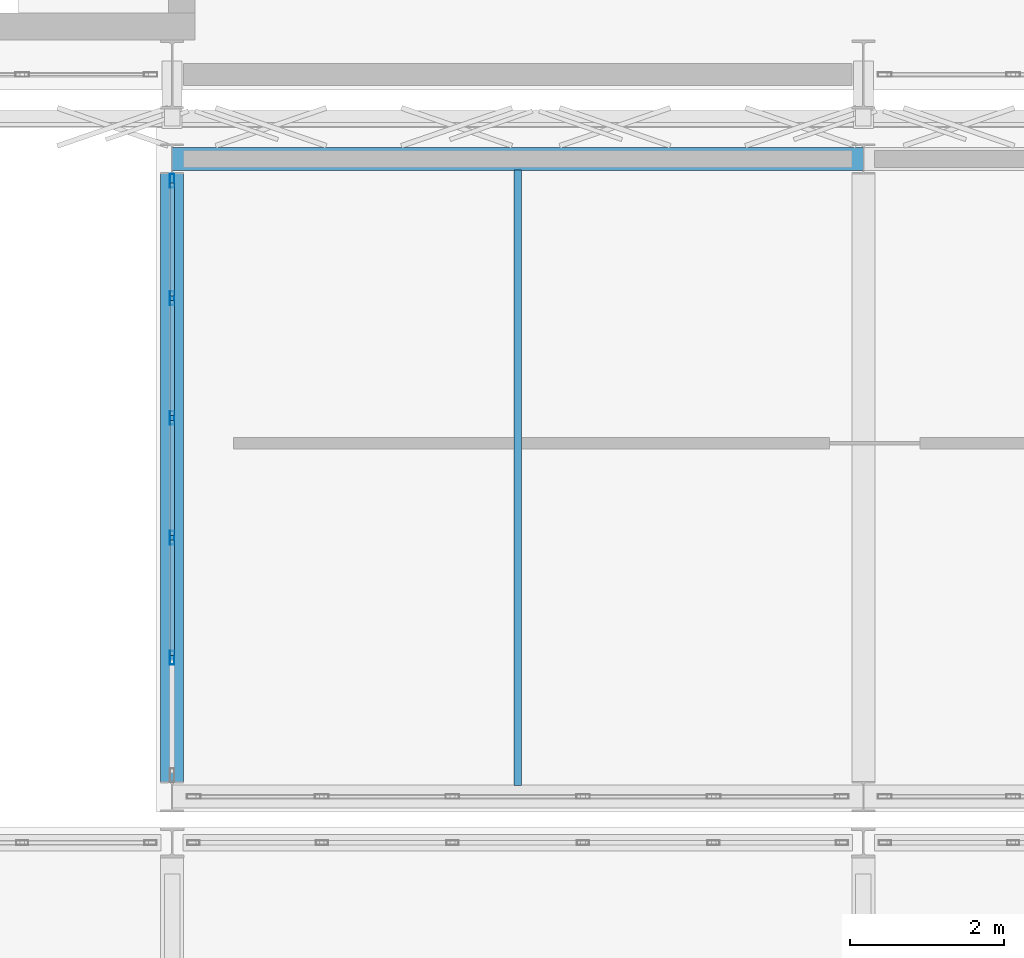
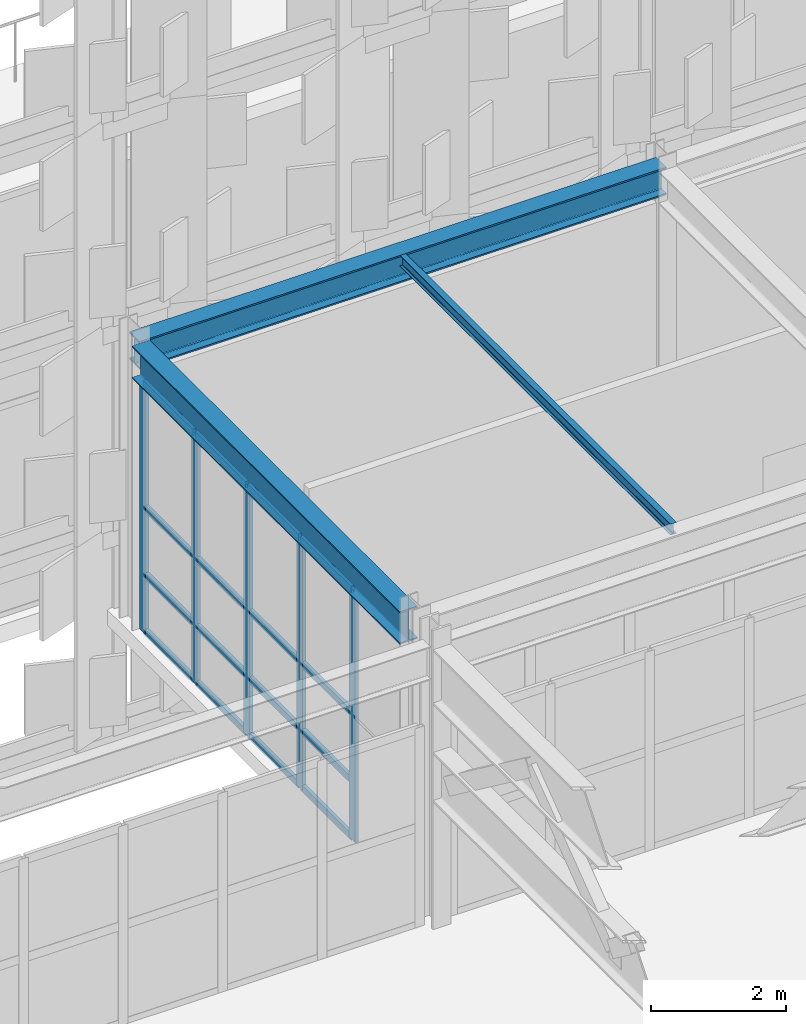
# One storey, part 47 of 210: 21 members, 3 beams, 1 element without a shape of its own.
"""IFC4 building model written with IfcOpenShell, lengths in metres."""

from ifc_helpers import new_model, si_unit, direction, frame, origin, origin_2d, place, context, subcontext, project, spatial, hollow_rectangle, i_section, extrude, material, material_profile, profile_set, type_object, element, aggregate, save


model = new_model("IFC4")

# Units and contexts
model_context = context("Model", 3, precision=1e-05, world=origin(), true_north=direction((0.0, 1.0)))
body_context = subcontext(model_context, "Body", "Model", "MODEL_VIEW")
ifc_project = project(units=[si_unit("LENGTHUNIT", "METRE"), si_unit("AREAUNIT", "SQUARE_METRE"), si_unit("VOLUMEUNIT", "CUBIC_METRE"), si_unit("PLANEANGLEUNIT", "RADIAN"), si_unit("MASSUNIT", "GRAM", prefix="KILO")], contexts=[model_context])

# Site, building, storey
site_placement = place(None, origin())
site = spatial("IfcSite", under=ifc_project, at=site_placement, CompositionType="ELEMENT")
building_placement = place(site_placement, origin())
building = spatial("IfcBuilding", under=site, at=building_placement, Name="Kaldris Quays Convention Centre", CompositionType="ELEMENT")
storey_placement = place(building_placement, frame((0.0, 0.0, 6.0)))
storey = spatial("IfcBuildingStorey", under=building, at=storey_placement, Name="L01", CompositionType="ELEMENT", Elevation=6.0)

# Curtain wall, members
ifc_material_1 = material(Name="Anodized aluminium AW-6060 and triple glazing", Category="aluminium")
curtain_wall_type = type_object("IfcCurtainWallType", Name="UNITISED CURTAIN WALL CW02", PredefinedType="NOTDEFINED", material=ifc_material_1)
curtain_wall_placement = place(storey_placement, origin())
curtain_wall = element("IfcCurtainWall", 1, at=curtain_wall_placement, inside=storey, type_object=curtain_wall_type, Name="L01 Unitised Curtain Wall CW02 96", PredefinedType="NOTDEFINED")
ifc_material_2 = material(Name="Anodized aluminium AW-6060", Category="aluminium")
ifc_material_profile_1 = material_profile(ifc_material_2, hollow_rectangle(XDim=0.06005859375, YDim=0.179931640625, WallThickness=0.0048828125, at=origin_2d()), Name="RHS 180x60x5")
ifc_profile_set_1 = profile_set([ifc_material_profile_1], Name="Anodized aluminium AW-6060")
member_type_1 = type_object("IfcMemberType", Name="CURTAIN MULLION CWM2", PredefinedType="MULLION", material=ifc_profile_set_1)
member_1_placement = place(storey_placement, frame((29.0, 48.409912109375, 0.0), z_axis=(0.0, 0.0, 1.0), x_axis=(-1.0, 0.0, 0.0)))
member_1 = element("IfcMember", 2, at=member_1_placement, type_object=member_type_1, Name="CW02 mullion 2", PredefinedType="MULLION", context=body_context, shape_type="SweptSolid", body=[
    extrude(hollow_rectangle(XDim=0.06005859375, YDim=0.179931640625, WallThickness=0.0048828125, at=origin_2d()), origin(), (0.0, 0.0, 1.0), 4.528076171875),
])
member_2_placement = place(storey_placement, frame((29.0, 49.969970703125, 0.0), z_axis=(0.0, 0.0, 1.0), x_axis=(-1.0, 0.0, 0.0)))
member_2 = element("IfcMember", 3, at=member_2_placement, type_object=member_type_1, Name="CW02 mullion 3", PredefinedType="MULLION", context=body_context, shape_type="SweptSolid", body=[
    extrude(hollow_rectangle(XDim=0.06005859375, YDim=0.179931640625, WallThickness=0.0048828125, at=origin_2d()), origin(), (0.0, 0.0, 1.0), 4.528076171875),
])
member_3_placement = place(storey_placement, frame((29.0, 51.530029296875, 0.0), z_axis=(0.0, 0.0, 1.0), x_axis=(-1.0, 0.0, 0.0)))
member_3 = element("IfcMember", 4, at=member_3_placement, type_object=member_type_1, Name="CW02 mullion 4", PredefinedType="MULLION", context=body_context, shape_type="SweptSolid", body=[
    extrude(hollow_rectangle(XDim=0.06005859375, YDim=0.179931640625, WallThickness=0.0048828125, at=origin_2d()), origin(), (0.0, 0.0, 1.0), 4.528076171875),
])
member_4_placement = place(storey_placement, frame((29.0, 53.090087890625, 0.0), z_axis=(0.0, 0.0, 1.0), x_axis=(-1.0, 0.0, 0.0)))
member_4 = element("IfcMember", 5, at=member_4_placement, type_object=member_type_1, Name="CW02 mullion 5", PredefinedType="MULLION", context=body_context, shape_type="SweptSolid", body=[
    extrude(hollow_rectangle(XDim=0.06005859375, YDim=0.179931640625, WallThickness=0.0048828125, at=origin_2d()), origin(), (0.0, 0.0, 1.0), 4.528076171875),
])
member_5_placement = place(storey_placement, frame((29.0, 54.6201171875, 0.0), z_axis=(0.0, 0.0, 1.0), x_axis=(-1.0, 0.0, 0.0)))
member_5 = element("IfcMember", 6, at=member_5_placement, type_object=member_type_1, Name="CW02 mullion 6", PredefinedType="MULLION", context=body_context, shape_type="SweptSolid", body=[
    extrude(hollow_rectangle(XDim=0.06005859375, YDim=0.179931640625, WallThickness=0.0048828125, at=origin_2d()), origin(), (0.0, 0.0, 1.0), 4.528076171875),
])
ifc_material_profile_2 = material_profile(ifc_material_2, hollow_rectangle(XDim=0.06005859375, YDim=0.1201171875, WallThickness=0.00390625, at=origin_2d()), Name="RHS 120x60x4")
ifc_profile_set_2 = profile_set([ifc_material_profile_2], Name="Anodized aluminium AW-6060")
member_type_2 = type_object("IfcMemberType", Name="CURTAIN TRANSOM CWT1", PredefinedType="USERDEFINED", material=ifc_profile_set_2)
member_6_placement = place(storey_placement, frame((29.0, 48.43994140625, 0.030029296875), z_axis=(0.0, 1.0, 0.0), x_axis=(-1.0, 0.0, 0.0)))
member_6 = element("IfcMember", 7, at=member_6_placement, type_object=member_type_2, Name="CW02 transom 2.1", ObjectType="TRANSOM", PredefinedType="USERDEFINED", context=body_context, shape_type="SweptSolid", body=[
    extrude(hollow_rectangle(XDim=0.06005859375, YDim=0.1201171875, WallThickness=0.00390625, at=origin_2d()), origin(), (0.0, 0.0, 1.0), 1.5),
])
member_7_placement = place(storey_placement, frame((29.0, 48.43994140625, 1.050048828125), z_axis=(0.0, 1.0, 0.0), x_axis=(-1.0, 0.0, 0.0)))
member_7 = element("IfcMember", 8, at=member_7_placement, type_object=member_type_2, Name="CW02 transom 2.2", ObjectType="TRANSOM", PredefinedType="USERDEFINED", context=body_context, shape_type="SweptSolid", body=[
    extrude(hollow_rectangle(XDim=0.06005859375, YDim=0.1201171875, WallThickness=0.00390625, at=origin_2d()), origin(), (0.0, 0.0, 1.0), 1.5),
])
member_8_placement = place(storey_placement, frame((29.0, 48.43994140625, 2.263916015625), z_axis=(0.0, 1.0, 0.0), x_axis=(-1.0, 0.0, 0.0)))
member_8 = element("IfcMember", 9, at=member_8_placement, type_object=member_type_2, Name="CW02 transom 2.3", ObjectType="TRANSOM", PredefinedType="USERDEFINED", context=body_context, shape_type="SweptSolid", body=[
    extrude(hollow_rectangle(XDim=0.06005859375, YDim=0.1201171875, WallThickness=0.00390625, at=origin_2d()), origin(), (0.0, 0.0, 1.0), 1.5),
])
member_9_placement = place(storey_placement, frame((29.0, 48.43994140625, 4.498046875), z_axis=(0.0, 1.0, 0.0), x_axis=(-1.0, 0.0, 0.0)))
member_9 = element("IfcMember", 10, at=member_9_placement, type_object=member_type_2, Name="CW02 transom 2.4", ObjectType="TRANSOM", PredefinedType="USERDEFINED", context=body_context, shape_type="SweptSolid", body=[
    extrude(hollow_rectangle(XDim=0.06005859375, YDim=0.1201171875, WallThickness=0.00390625, at=origin_2d()), origin(), (0.0, 0.0, 1.0), 1.5),
])
member_10_placement = place(storey_placement, frame((29.0, 50.0, 0.030029296875), z_axis=(0.0, 1.0, 0.0), x_axis=(-1.0, 0.0, 0.0)))
member_10 = element("IfcMember", 11, at=member_10_placement, type_object=member_type_2, Name="CW02 transom 3.1", ObjectType="TRANSOM", PredefinedType="USERDEFINED", context=body_context, shape_type="SweptSolid", body=[
    extrude(hollow_rectangle(XDim=0.06005859375, YDim=0.1201171875, WallThickness=0.00390625, at=origin_2d()), origin(), (0.0, 0.0, 1.0), 1.5),
])
member_11_placement = place(storey_placement, frame((29.0, 50.0, 1.050048828125), z_axis=(0.0, 1.0, 0.0), x_axis=(-1.0, 0.0, 0.0)))
member_11 = element("IfcMember", 12, at=member_11_placement, type_object=member_type_2, Name="CW02 transom 3.2", ObjectType="TRANSOM", PredefinedType="USERDEFINED", context=body_context, shape_type="SweptSolid", body=[
    extrude(hollow_rectangle(XDim=0.06005859375, YDim=0.1201171875, WallThickness=0.00390625, at=origin_2d()), origin(), (0.0, 0.0, 1.0), 1.5),
])
member_12_placement = place(storey_placement, frame((29.0, 50.0, 2.263916015625), z_axis=(0.0, 1.0, 0.0), x_axis=(-1.0, 0.0, 0.0)))
member_12 = element("IfcMember", 13, at=member_12_placement, type_object=member_type_2, Name="CW02 transom 3.3", ObjectType="TRANSOM", PredefinedType="USERDEFINED", context=body_context, shape_type="SweptSolid", body=[
    extrude(hollow_rectangle(XDim=0.06005859375, YDim=0.1201171875, WallThickness=0.00390625, at=origin_2d()), origin(), (0.0, 0.0, 1.0), 1.5),
])
member_13_placement = place(storey_placement, frame((29.0, 50.0, 4.498046875), z_axis=(0.0, 1.0, 0.0), x_axis=(-1.0, 0.0, 0.0)))
member_13 = element("IfcMember", 14, at=member_13_placement, type_object=member_type_2, Name="CW02 transom 3.4", ObjectType="TRANSOM", PredefinedType="USERDEFINED", context=body_context, shape_type="SweptSolid", body=[
    extrude(hollow_rectangle(XDim=0.06005859375, YDim=0.1201171875, WallThickness=0.00390625, at=origin_2d()), origin(), (0.0, 0.0, 1.0), 1.5),
])
member_14_placement = place(storey_placement, frame((29.0, 51.56005859375, 0.030029296875), z_axis=(0.0, 1.0, 0.0), x_axis=(-1.0, 0.0, 0.0)))
member_14 = element("IfcMember", 15, at=member_14_placement, type_object=member_type_2, Name="CW02 transom 4.1", ObjectType="TRANSOM", PredefinedType="USERDEFINED", context=body_context, shape_type="SweptSolid", body=[
    extrude(hollow_rectangle(XDim=0.06005859375, YDim=0.1201171875, WallThickness=0.00390625, at=origin_2d()), origin(), (0.0, 0.0, 1.0), 1.5),
])
member_15_placement = place(storey_placement, frame((29.0, 51.56005859375, 1.050048828125), z_axis=(0.0, 1.0, 0.0), x_axis=(-1.0, 0.0, 0.0)))
member_15 = element("IfcMember", 16, at=member_15_placement, type_object=member_type_2, Name="CW02 transom 4.2", ObjectType="TRANSOM", PredefinedType="USERDEFINED", context=body_context, shape_type="SweptSolid", body=[
    extrude(hollow_rectangle(XDim=0.06005859375, YDim=0.1201171875, WallThickness=0.00390625, at=origin_2d()), origin(), (0.0, 0.0, 1.0), 1.5),
])
member_16_placement = place(storey_placement, frame((29.0, 51.56005859375, 2.263916015625), z_axis=(0.0, 1.0, 0.0), x_axis=(-1.0, 0.0, 0.0)))
member_16 = element("IfcMember", 17, at=member_16_placement, type_object=member_type_2, Name="CW02 transom 4.3", ObjectType="TRANSOM", PredefinedType="USERDEFINED", context=body_context, shape_type="SweptSolid", body=[
    extrude(hollow_rectangle(XDim=0.06005859375, YDim=0.1201171875, WallThickness=0.00390625, at=origin_2d()), origin(), (0.0, 0.0, 1.0), 1.5),
])
member_17_placement = place(storey_placement, frame((29.0, 51.56005859375, 4.498046875), z_axis=(0.0, 1.0, 0.0), x_axis=(-1.0, 0.0, 0.0)))
member_17 = element("IfcMember", 18, at=member_17_placement, type_object=member_type_2, Name="CW02 transom 4.4", ObjectType="TRANSOM", PredefinedType="USERDEFINED", context=body_context, shape_type="SweptSolid", body=[
    extrude(hollow_rectangle(XDim=0.06005859375, YDim=0.1201171875, WallThickness=0.00390625, at=origin_2d()), origin(), (0.0, 0.0, 1.0), 1.5),
])
member_18_placement = place(storey_placement, frame((29.0, 53.1201171875, 0.030029296875), z_axis=(0.0, 1.0, 0.0), x_axis=(-1.0, 0.0, 0.0)))
member_18 = element("IfcMember", 19, at=member_18_placement, type_object=member_type_2, Name="CW02 transom 5.1", ObjectType="TRANSOM", PredefinedType="USERDEFINED", context=body_context, shape_type="SweptSolid", body=[
    extrude(hollow_rectangle(XDim=0.06005859375, YDim=0.1201171875, WallThickness=0.00390625, at=origin_2d()), origin(), (0.0, 0.0, 1.0), 1.469970703125),
])
member_19_placement = place(storey_placement, frame((29.0, 53.1201171875, 1.050048828125), z_axis=(0.0, 1.0, 0.0), x_axis=(-1.0, 0.0, 0.0)))
member_19 = element("IfcMember", 20, at=member_19_placement, type_object=member_type_2, Name="CW02 transom 5.2", ObjectType="TRANSOM", PredefinedType="USERDEFINED", context=body_context, shape_type="SweptSolid", body=[
    extrude(hollow_rectangle(XDim=0.06005859375, YDim=0.1201171875, WallThickness=0.00390625, at=origin_2d()), origin(), (0.0, 0.0, 1.0), 1.469970703125),
])
member_20_placement = place(storey_placement, frame((29.0, 53.1201171875, 2.263916015625), z_axis=(0.0, 1.0, 0.0), x_axis=(-1.0, 0.0, 0.0)))
member_20 = element("IfcMember", 21, at=member_20_placement, type_object=member_type_2, Name="CW02 transom 5.3", ObjectType="TRANSOM", PredefinedType="USERDEFINED", context=body_context, shape_type="SweptSolid", body=[
    extrude(hollow_rectangle(XDim=0.06005859375, YDim=0.1201171875, WallThickness=0.00390625, at=origin_2d()), origin(), (0.0, 0.0, 1.0), 1.469970703125),
])
member_21_placement = place(storey_placement, frame((29.0, 53.1201171875, 4.498046875), z_axis=(0.0, 1.0, 0.0), x_axis=(-1.0, 0.0, 0.0)))
member_21 = element("IfcMember", 22, at=member_21_placement, type_object=member_type_2, Name="CW02 transom 5.4", ObjectType="TRANSOM", PredefinedType="USERDEFINED", context=body_context, shape_type="SweptSolid", body=[
    extrude(hollow_rectangle(XDim=0.06005859375, YDim=0.1201171875, WallThickness=0.00390625, at=origin_2d()), origin(), (0.0, 0.0, 1.0), 1.469970703125),
])
aggregate(curtain_wall, [member_1, member_2, member_3, member_4, member_5, member_6, member_7, member_8, member_9, member_10, member_11, member_12, member_13, member_14, member_15, member_16, member_17, member_18, member_19, member_20, member_21])

# Beams
ifc_material_3 = material(Name="Steel S355J2", Category="steel")
ifc_material_profile_3 = material_profile(ifc_material_3, i_section(OverallWidth=0.300048828125, OverallDepth=0.5, WebThickness=0.014404296875, FlangeThickness=0.028076171875, FilletRadius=0.027099609375, at=origin_2d()), Name="HEB 500")
ifc_profile_set_3 = profile_set([ifc_material_profile_3], Name="Steel S355J2")
beam_type_1 = type_object("IfcBeamType", Name="STRUCTURAL BEAM BM06", PredefinedType="BEAM", material=ifc_profile_set_3)
beam_1_placement = place(storey_placement, frame((28.99951171875, 54.89990234375, 4.89306640625), z_axis=(1.0, 0.0, 0.0), x_axis=(0.0, 1.0, 0.0)))
element("IfcBeam", 23, at=beam_1_placement, inside=storey, type_object=beam_type_1, Name="L01 Girder BM06 7", PredefinedType="BEAM", context=body_context, shape_type="SweptSolid", body=[
    extrude(i_section(OverallWidth=0.300048828125, OverallDepth=0.5, WebThickness=0.014404296875, FlangeThickness=0.028076171875, FilletRadius=0.027099609375, at=origin_2d()), origin(), (0.0, 0.0, 1.0), 9.0009765625),
])
ifc_material_profile_4 = material_profile(ifc_material_3, i_section(OverallWidth=0.300048828125, OverallDepth=0.590087890625, WebThickness=0.012939453125, FlangeThickness=0.02490234375, FilletRadius=0.027099609375, at=origin_2d()), Name="HEA 600")
ifc_profile_set_4 = profile_set([ifc_material_profile_4], Name="Steel S355J2")
beam_type_2 = type_object("IfcBeamType", Name="STRUCTURAL BEAM BM08", PredefinedType="BEAM", material=ifc_profile_set_4)
beam_2_placement = place(storey_placement, frame((29.0, 46.7890625, 4.847900390625), z_axis=(0.0, 1.0, 0.0), x_axis=(-1.0, 0.0, 0.0)))
element("IfcBeam", 24, at=beam_2_placement, inside=storey, type_object=beam_type_2, Name="L01 Girder BM08 13", PredefinedType="BEAM", context=body_context, shape_type="SweptSolid", body=[
    extrude(i_section(OverallWidth=0.300048828125, OverallDepth=0.590087890625, WebThickness=0.012939453125, FlangeThickness=0.02490234375, FilletRadius=0.027099609375, at=origin_2d()), origin(), (0.0, 0.0, 1.0), 7.921875),
])
ifc_material_profile_5 = material_profile(ifc_material_3, i_section(OverallWidth=0.10009765625, OverallDepth=0.199951171875, WebThickness=0.005615234375, FlangeThickness=0.008544921875, FilletRadius=0.011962890625, at=origin_2d()), Name="IPE 200")
ifc_profile_set_5 = profile_set([ifc_material_profile_5], Name="Steel S355J2")
beam_type_3 = type_object("IfcBeamType", Name="STRUCTURAL BEAM JT09", PredefinedType="JOIST", material=ifc_profile_set_5)
beam_3_placement = place(storey_placement, frame((33.5, 46.743896484375, 5.04296875), z_axis=(0.0, 1.0, 0.0), x_axis=(-1.0, 0.0, 0.0)))
element("IfcBeam", 25, at=beam_3_placement, inside=storey, type_object=beam_type_3, Name="L01 Secondary Joist JT09 1", PredefinedType="JOIST", context=body_context, shape_type="SweptSolid", body=[
    extrude(i_section(OverallWidth=0.10009765625, OverallDepth=0.199951171875, WebThickness=0.005615234375, FlangeThickness=0.008544921875, FilletRadius=0.011962890625, at=origin_2d()), origin(), (0.0, 0.0, 1.0), 8.01220703125),
])

save(model, "model.ifc")
